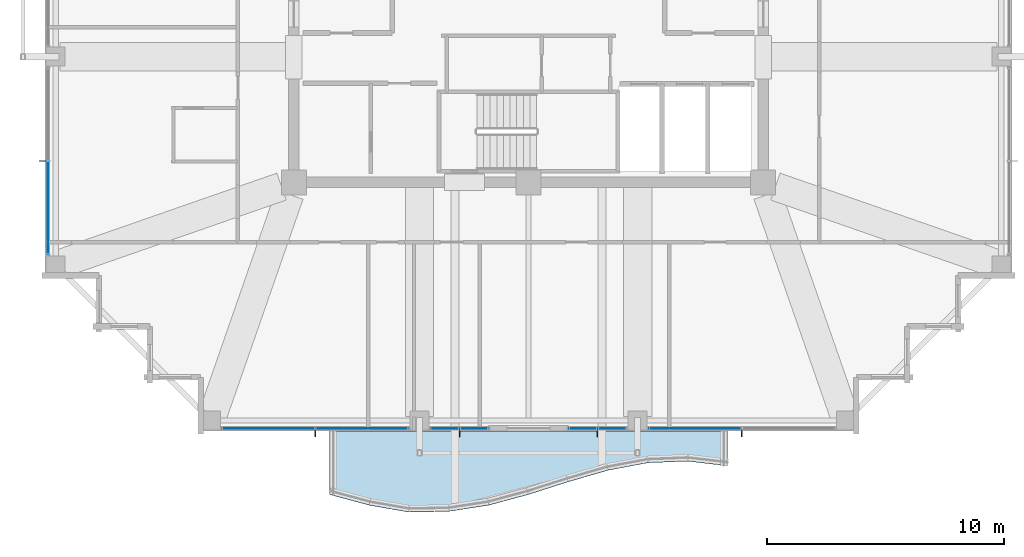
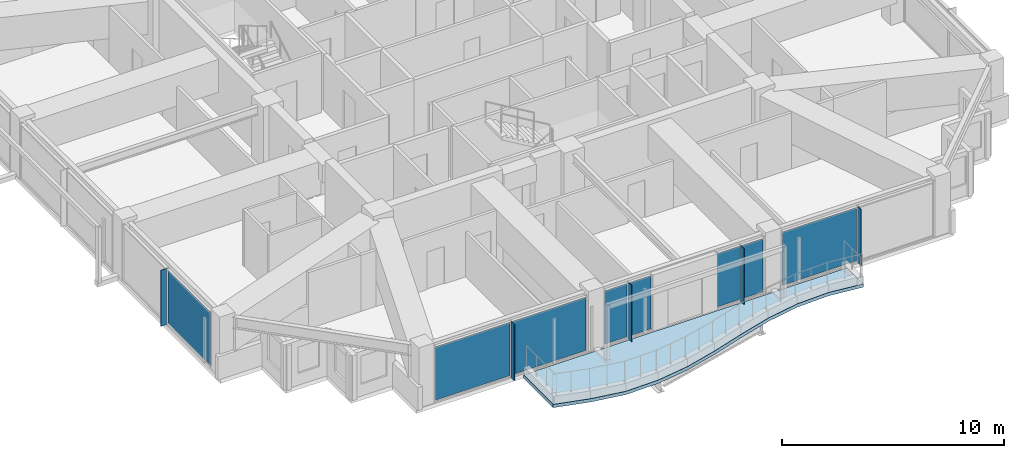
# One storey, part 25 of 37: 13 plates, 1 slab, 5 elements without a shape of their own.
"""IFC4 building model written with IfcOpenShell, lengths in metres."""

from ifc_helpers import new_model, si_unit, direction, frame, origin, origin_2d, place, context, subcontext, project, spatial, polyline, rectangle, outline, extrude, material, layer, layer_set, type_object, element, aggregate, save


model = new_model("IFC4")

# Units and contexts
model_context = context("Model", 3, precision=1e-05, world=origin(), true_north=direction((0.0, 1.0)))
body_context = subcontext(model_context, "Body", "Model", "MODEL_VIEW")
ifc_project = project(units=[si_unit("LENGTHUNIT", "METRE"), si_unit("AREAUNIT", "SQUARE_METRE"), si_unit("VOLUMEUNIT", "CUBIC_METRE"), si_unit("PLANEANGLEUNIT", "RADIAN"), si_unit("MASSUNIT", "GRAM", prefix="KILO")], contexts=[model_context])

# Site, building, storey
site_placement = place(None, origin())
site = spatial("IfcSite", under=ifc_project, at=site_placement, CompositionType="ELEMENT")
building_placement = place(site_placement, origin())
building = spatial("IfcBuilding", under=site, at=building_placement, Name="Kolvaren Belvedere", CompositionType="ELEMENT")
storey_placement = place(building_placement, frame((0.0, 0.0, 219.60009765625)))
storey = spatial("IfcBuildingStorey", under=building, at=storey_placement, Name="L64", CompositionType="ELEMENT", Elevation=219.60009765625)

# Curtain wall, plate
ifc_material_1 = material(Name="Anodised pale-metal aluminium AA 6063-T6", Category="aluminium")
curtain_wall_type = type_object("IfcCurtainWallType", Name="CW-Z5-HIGH", PredefinedType="NOTDEFINED", material=ifc_material_1)
curtain_wall_1_placement = place(storey_placement, origin())
curtain_wall_1 = element("IfcCurtainWall", 1, at=curtain_wall_1_placement, inside=storey, type_object=curtain_wall_type, Name="L64 Unitised Curtain Wall FCW-L64-S1-B1", PredefinedType="NOTDEFINED")
ifc_material_2 = material(Name="Low-iron triple insulated glass", Category="glass")
ifc_layer_1 = layer(ifc_material_2, 0.028076171875)
ifc_layer_set_1 = layer_set([ifc_layer_1], Name="Low-iron triple insulated glass")
plate_type_1 = type_object("IfcPlateType", Name="CW-PNL-VIS28", PredefinedType="CURTAIN_PANEL", material=ifc_layer_set_1)
plate_1_placement = place(storey_placement, frame((7.027587890625, -20.280029296875, 0.079833984375), z_axis=(0.0, 0.0, 1.0), x_axis=(-1.0, 0.0, 0.0)))
plate_1 = element("IfcPlate", 2, at=plate_1_placement, type_object=plate_type_1, Name="FCW-L64-S1-B1 Vision Glazing Panel 2", PredefinedType="CURTAIN_PANEL", context=body_context, shape_type="SweptSolid", body=[
    extrude(rectangle(XDim=3.864990234375, YDim=0.028076171875, at=origin_2d()), origin(), (0.0, 0.0, 1.0), 2.919921875),
])
aggregate(curtain_wall_1, [plate_1])

# Curtain wall, plates
curtain_wall_2_placement = place(storey_placement, origin())
curtain_wall_2 = element("IfcCurtainWall", 3, at=curtain_wall_2_placement, inside=storey, type_object=curtain_wall_type, Name="L64 Unitised Curtain Wall FCW-L64-S1-B2", PredefinedType="NOTDEFINED")
plate_2_placement = place(storey_placement, frame((3.52880859375, -20.280029296875, 0.079833984375), z_axis=(0.0, 0.0, 1.0), x_axis=(-1.0, 0.0, 0.0)))
plate_2 = element("IfcPlate", 4, at=plate_2_placement, type_object=plate_type_1, Name="FCW-L64-S1-B2 Vision Glazing Panel 1", PredefinedType="CURTAIN_PANEL", context=body_context, shape_type="SweptSolid", body=[
    extrude(rectangle(XDim=1.152587890625, YDim=0.028076171875, at=origin_2d()), origin(), (0.0, 0.0, 1.0), 2.919921875),
])
plate_3_placement = place(storey_placement, frame((2.296142578125, -20.280029296875, 0.079833984375), z_axis=(0.0, 0.0, 1.0), x_axis=(-1.0, 0.0, 0.0)))
plate_3 = element("IfcPlate", 5, at=plate_3_placement, type_object=plate_type_1, Name="FCW-L64-S1-B2 Vision Glazing Panel 2", PredefinedType="CURTAIN_PANEL", context=body_context, shape_type="SweptSolid", body=[
    extrude(rectangle(XDim=1.152587890625, YDim=0.028076171875, at=origin_2d()), origin(), (0.0, 0.0, 1.0), 2.919921875),
])
aggregate(curtain_wall_2, [plate_2, plate_3])

curtain_wall_3_placement = place(storey_placement, origin())
curtain_wall_3 = element("IfcCurtainWall", 6, at=curtain_wall_3_placement, inside=storey, type_object=curtain_wall_type, Name="L64 Unitised Curtain Wall FCW-L64-S2-B1", PredefinedType="NOTDEFINED")
plate_4_placement = place(storey_placement, frame((-2.296142578125, -20.280029296875, 0.079833984375), z_axis=(0.0, 0.0, 1.0), x_axis=(-1.0, 0.0, 0.0)))
plate_4 = element("IfcPlate", 7, at=plate_4_placement, type_object=plate_type_1, Name="FCW-L64-S2-B1 Vision Glazing Panel 1", PredefinedType="CURTAIN_PANEL", context=body_context, shape_type="SweptSolid", body=[
    extrude(rectangle(XDim=1.152587890625, YDim=0.028076171875, at=origin_2d()), origin(), (0.0, 0.0, 1.0), 2.919921875),
])
plate_5_placement = place(storey_placement, frame((-3.52880859375, -20.280029296875, 0.079833984375), z_axis=(0.0, 0.0, 1.0), x_axis=(-1.0, 0.0, 0.0)))
plate_5 = element("IfcPlate", 8, at=plate_5_placement, type_object=plate_type_1, Name="FCW-L64-S2-B1 Vision Glazing Panel 2", PredefinedType="CURTAIN_PANEL", context=body_context, shape_type="SweptSolid", body=[
    extrude(rectangle(XDim=1.152587890625, YDim=0.028076171875, at=origin_2d()), origin(), (0.0, 0.0, 1.0), 2.919921875),
])
aggregate(curtain_wall_3, [plate_4, plate_5])

curtain_wall_4_placement = place(storey_placement, origin())
curtain_wall_4 = element("IfcCurtainWall", 9, at=curtain_wall_4_placement, inside=storey, type_object=curtain_wall_type, Name="L64 Unitised Curtain Wall FCW-L64-S2-B2", PredefinedType="NOTDEFINED")
plate_6_placement = place(storey_placement, frame((-7.027587890625, -20.280029296875, 0.079833984375), z_axis=(0.0, 0.0, 1.0), x_axis=(-1.0, 0.0, 0.0)))
plate_6 = element("IfcPlate", 10, at=plate_6_placement, type_object=plate_type_1, Name="FCW-L64-S2-B2 Vision Glazing Panel 1", PredefinedType="CURTAIN_PANEL", context=body_context, shape_type="SweptSolid", body=[
    extrude(rectangle(XDim=3.864990234375, YDim=0.028076171875, at=origin_2d()), origin(), (0.0, 0.0, 1.0), 2.919921875),
])
plate_7_placement = place(storey_placement, frame((-10.972412109375, -20.280029296875, 0.079833984375), z_axis=(0.0, 0.0, 1.0), x_axis=(-1.0, 0.0, 0.0)))
plate_7 = element("IfcPlate", 11, at=plate_7_placement, type_object=plate_type_1, Name="FCW-L64-S2-B2 Vision Glazing Panel 2", PredefinedType="CURTAIN_PANEL", context=body_context, shape_type="SweptSolid", body=[
    extrude(rectangle(XDim=3.864990234375, YDim=0.028076171875, at=origin_2d()), origin(), (0.0, 0.0, 1.0), 2.919921875),
])
aggregate(curtain_wall_4, [plate_6, plate_7])

# Curtain wall, plate
curtain_wall_5_placement = place(storey_placement, origin())
curtain_wall_5 = element("IfcCurtainWall", 12, at=curtain_wall_5_placement, inside=storey, type_object=curtain_wall_type, Name="L64 Unitised Curtain Wall FCW-L64-W-B1", PredefinedType="NOTDEFINED")
plate_8_placement = place(storey_placement, frame((-20.280029296875, -10.972412109375, 0.079833984375), z_axis=(0.0, 0.0, 1.0), x_axis=(0.0, 1.0, 0.0)))
plate_8 = element("IfcPlate", 13, at=plate_8_placement, type_object=plate_type_1, Name="FCW-L64-W-B1 Vision Glazing Panel 1", PredefinedType="CURTAIN_PANEL", context=body_context, shape_type="SweptSolid", body=[
    extrude(rectangle(XDim=3.864990234375, YDim=0.028076171875, at=origin_2d()), origin(), (0.0, 0.0, 1.0), 2.919921875),
])
aggregate(curtain_wall_5, [plate_8])

# Plates
ifc_material_3 = material(Name="Anodised pale-metal aluminium AA 6063-T6", Category="aluminium")
ifc_layer_2 = layer(ifc_material_3, 0.030029296875)
ifc_layer_set_2 = layer_set([ifc_layer_2], Name="Anodised pale-metal aluminium AA 6063-T6")
plate_type_2 = type_object("IfcPlateType", Name="FIN-VERT-300", PredefinedType="USERDEFINED", material=ifc_layer_set_2)
for number, where, z_axis, x_axis, name in (
    (14, (9.0, -20.489990234375, -0.000244140625), (0.0, 0.0, 1.0), (0.0, 1.0, 0.0), "L64 Pale-Metal Vertical Shading Fin FCW-L64-S1-B1-1"),
    (15, (2.91259765625, -20.489990234375, -0.000244140625), (0.0, 0.0, 1.0), (0.0, 1.0, 0.0), "L64 Pale-Metal Vertical Shading Fin FCW-L64-S1-B2-1"),
    (16, (-2.91259765625, -20.489990234375, -0.000244140625), (0.0, 0.0, 1.0), (0.0, 1.0, 0.0), "L64 Pale-Metal Vertical Shading Fin FCW-L64-S2-B1-1"),
    (17, (-9.0, -20.489990234375, -0.000244140625), (0.0, 0.0, 1.0), (0.0, 1.0, 0.0), "L64 Pale-Metal Vertical Shading Fin FCW-L64-S2-B2-1"),
    (18, (-20.489990234375, -9.0, -0.000244140625), (0.0, 0.0, 1.0), (1.0, 0.0, 0.0), "L64 Pale-Metal Vertical Shading Fin FCW-L64-W-B1-1"),
):
    element("IfcPlate", number, at=place(storey_placement, frame(where, z_axis=z_axis, x_axis=x_axis)), inside=storey, type_object=plate_type_2, Name=name, ObjectType="VERTICAL FIN", PredefinedType="USERDEFINED", context=body_context, shape_type="SweptSolid", body=[
        extrude(rectangle(XDim=0.300048828125, YDim=0.030029296875, at=origin_2d()), origin(), (0.0, 0.0, 1.0), 3.080078125),
    ])

# Slab
ifc_material_4 = material(Name="Concrete C50/60", Category="concrete")
ifc_layer_3 = layer(ifc_material_4, 0.179931640625)
ifc_layer_set_3 = layer_set([ifc_layer_3], Name="Concrete C50/60")
slab_type = type_object("IfcSlabType", Name="SL-BAL-180", PredefinedType="FLOOR", material=ifc_layer_set_3)
slab_placement = place(storey_placement, frame((0.0, 0.0, -0.22021484375)))
element("IfcSlab", 19, at=slab_placement, inside=storey, type_object=slab_type, Name="L64 Planted Balcony BAL-S", PredefinedType="FLOOR", context=body_context, shape_type="SweptSolid", body=[
    extrude(outline(polyline([(-8.39990234375, -23.07373046875), (-6.719970703125, -23.52734375), (-5.0400390625, -23.820068359375), (-3.360107421875, -23.7861328125), (-1.679931640625, -23.52734375), (0.0, -23.07373046875), (1.679931640625, -22.53759765625), (3.360107421875, -22.051513671875), (5.0400390625, -21.73583984375), (6.719970703125, -21.66845703125), (8.39990234375, -21.8662109375), (8.39990234375, -20.39990234375), (6.719970703125, -20.39990234375), (5.0400390625, -20.39990234375), (3.360107421875, -20.39990234375), (1.679931640625, -20.39990234375), (0.0, -20.39990234375), (-1.679931640625, -20.39990234375), (-3.360107421875, -20.39990234375), (-5.0400390625, -20.39990234375), (-6.719970703125, -20.39990234375), (-8.39990234375, -20.39990234375), (-8.39990234375, -23.07373046875)])), origin(), (0.0, 0.0, 1.0), 0.18017578125),
])

save(model, "model.ifc")
